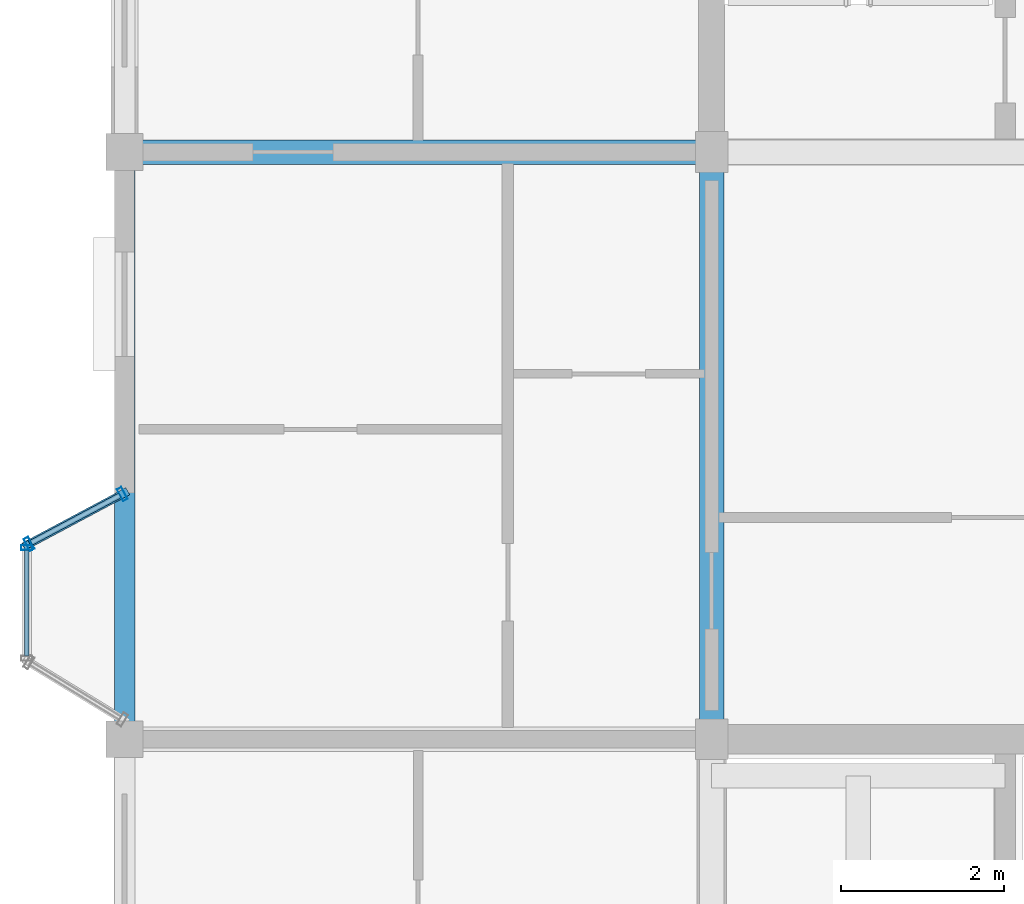
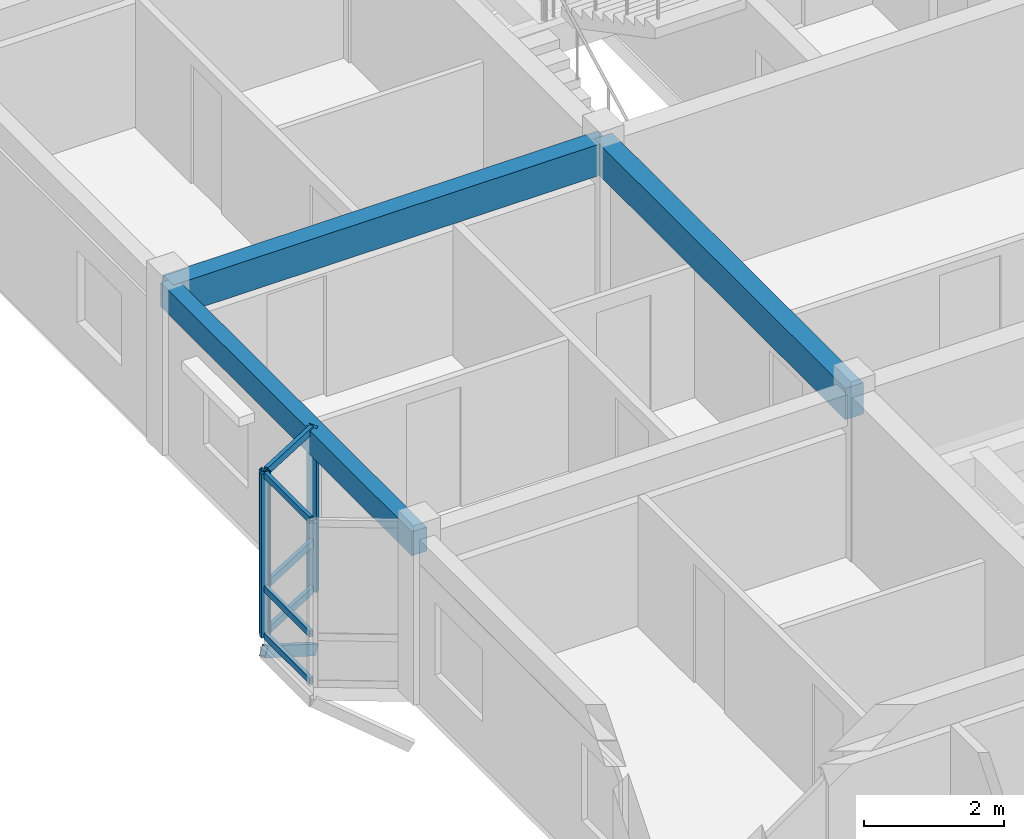
# One storey, part 7 of 40: 10 members, 3 beams, 2 elements without a shape of their own.
"""IFC4 building model written with IfcOpenShell, lengths in metres."""

import ifcopenshell
import ifcopenshell.guid

model = None  # the IFC model being written
_history = None  # IfcOwnerHistory: only IFC2X3 demands one
_inside = {}  # id of a spatial element -> (the spatial element, [elements in it])
_under = {}  # id of a project, library or spatial element -> (it, [spatial elements below it])
_declared = {}  # id of a project -> (the project, [libraries it declares])
_typed = {}  # id of a type object -> (the type object, [elements of that type])
_made_of = {}  # id of a material, layer set ... -> (it, [elements and type objects made of it])


def new_model(schema):
    """Start an empty IFC model of exactly this schema.

    Asked for "IFC4X3", IfcOpenShell would pick the latest addendum, in which some entities
    have other attributes; the version numbers below select the first issue.
    IFC2X3 requires an IfcOwnerHistory on every rooted entity: one is made here for all.
    """
    global model, _history
    if schema == "IFC4X3":
        model = ifcopenshell.file(schema_version=(4, 3, 0, 0))
    else:
        model = ifcopenshell.file(schema=schema)
    _inside.clear()
    _under.clear()
    _declared.clear()
    _typed.clear()
    _made_of.clear()
    _history = None
    if model.schema == "IFC2X3":
        org = make("IfcOrganization", Name="unknown")
        user = make(
            "IfcPersonAndOrganization",
            ThePerson=make("IfcPerson", FamilyName="unknown"),
            TheOrganization=org,
        )
        app = make(
            "IfcApplication",
            ApplicationDeveloper=org,
            Version="unknown",
            ApplicationFullName="unknown",
            ApplicationIdentifier="unknown",
        )
        _history = make(
            "IfcOwnerHistory",
            OwningUser=user,
            OwningApplication=app,
            ChangeAction="ADDED",
            CreationDate=0,
        )
    return model


def make(cls, **values):
    """One entity of the class cls with the attributes given. An attribute that is None is left unset."""
    return model.create_entity(
        cls, **{name: value for name, value in values.items() if value is not None}
    )


def rooted(cls, **values):
    """An entity with a GlobalId (a new one), such as an element, a storey or a relation."""
    return make(cls, GlobalId=ifcopenshell.guid.new(), OwnerHistory=_history, **values)


def si_unit(unit_type, name, prefix=None):
    """IfcSIUnit, for example si_unit("LENGTHUNIT", "METRE", prefix="MILLI")."""
    return make("IfcSIUnit", UnitType=unit_type, Prefix=prefix, Name=name)


def assignment(units):
    """IfcUnitAssignment: the units of a project."""
    return None if units is None else make("IfcUnitAssignment", Units=units)


def point(xyz):
    """IfcCartesianPoint."""
    return None if xyz is None else make("IfcCartesianPoint", Coordinates=xyz)


def direction(xyz):
    """IfcDirection."""
    return None if xyz is None else make("IfcDirection", DirectionRatios=xyz)


def frame(location, z_axis=None, x_axis=None):
    """IfcAxis2Placement3D, a coordinate frame: its origin and axes. An axis left out is left unset."""
    return make(
        "IfcAxis2Placement3D",
        Location=point(location),
        Axis=direction(z_axis),
        RefDirection=direction(x_axis),
    )


def frame_2d(location, x_axis=None):
    """IfcAxis2Placement2D, a coordinate frame in the plane: its origin and x axis."""
    return make(
        "IfcAxis2Placement2D", Location=point(location), RefDirection=direction(x_axis)
    )


def origin():
    """The frame at (0, 0, 0) with its axes left unset."""
    return frame((0.0, 0.0, 0.0))


def origin_2d():
    """The frame at (0, 0) in the plane with its x axis left unset."""
    return frame_2d((0.0, 0.0))


def place(relative_to, where):
    """IfcLocalPlacement: puts the frame where relative to a parent placement (None: the world)."""
    return make(
        "IfcLocalPlacement", PlacementRelTo=relative_to, RelativePlacement=where
    )


def context(
    kind, dimensions, precision=None, world=None, true_north=None, identifier=None
):
    """IfcGeometricRepresentationContext, for example the 3D "Model" context."""
    return make(
        "IfcGeometricRepresentationContext",
        ContextIdentifier=identifier,
        ContextType=kind,
        CoordinateSpaceDimension=dimensions,
        Precision=precision,
        WorldCoordinateSystem=world,
        TrueNorth=true_north,
    )


def subcontext(parent, identifier, kind, view, scale=None):
    """IfcGeometricRepresentationSubContext, for example "Body" below "Model"."""
    return make(
        "IfcGeometricRepresentationSubContext",
        ContextIdentifier=identifier,
        ContextType=kind,
        ParentContext=parent,
        TargetScale=scale,
        TargetView=view,
    )


def project(units=None, contexts=None):
    """IfcProject with its units and contexts."""
    return rooted(
        "IfcProject",
        Name="project",
        RepresentationContexts=contexts,
        UnitsInContext=assignment(units),
    )


def spatial(cls, under=None, at=None, **own):
    """A site, building, storey or space (cls), placed at a placement, below another one or the project."""
    s = rooted(cls, ObjectPlacement=at, **own)
    if under is not None:
        _under.setdefault(under.id(), (under, []))[1].append(s)
    return s


def profile(cls, at=None, kind="AREA", **sizes):
    """A parametric profile (cls). Its sizes go by their IFC names, for example OverallWidth=200.0."""
    return make(cls, ProfileType=kind, Position=at, **sizes)


def rectangle(**sizes):
    """IfcRectangleProfileDef."""
    return profile("IfcRectangleProfileDef", **sizes)


def hollow_rectangle(**sizes):
    """IfcRectangleHollowProfileDef."""
    return profile("IfcRectangleHollowProfileDef", **sizes)


def extrude(swept, where, along, depth):
    """IfcExtrudedAreaSolid: the profile swept, set in the frame where, extruded along a direction by depth."""
    return make(
        "IfcExtrudedAreaSolid",
        SweptArea=swept,
        Position=where,
        ExtrudedDirection=direction(along),
        Depth=depth,
    )


def shape(context_of_items, identifier, shape_type, items):
    """IfcShapeRepresentation: the items that make up one representation, for example the "Body"."""
    return make(
        "IfcShapeRepresentation",
        ContextOfItems=context_of_items,
        RepresentationIdentifier=identifier,
        RepresentationType=shape_type,
        Items=items,
    )


def material(Name=None, Category=None):
    """IfcMaterial."""
    return make("IfcMaterial", Name=Name, Category=Category)


def layer(
    of_material, thickness, ventilated=None, Name=None, Category=None, Priority=None
):
    """IfcMaterialLayer: one layer of a wall or slab, of a material (None: an air gap)."""
    return make(
        "IfcMaterialLayer",
        Material=of_material,
        LayerThickness=thickness,
        IsVentilated=ventilated,
        Name=Name,
        Category=Category,
        Priority=Priority,
    )


def layer_set(layers, Name=None):
    """IfcMaterialLayerSet."""
    return make("IfcMaterialLayerSet", MaterialLayers=layers, LayerSetName=Name)


def material_profile(
    of_material, cross_section, Name=None, Category=None, Priority=None
):
    """IfcMaterialProfile: a cross section and its material."""
    return make(
        "IfcMaterialProfile",
        Name=Name,
        Material=of_material,
        Profile=cross_section,
        Priority=Priority,
        Category=Category,
    )


def profile_set(profiles, Name=None, composite=None):
    """IfcMaterialProfileSet."""
    return make(
        "IfcMaterialProfileSet",
        Name=Name,
        MaterialProfiles=profiles,
        CompositeProfile=composite,
    )


def made_of(thing, what):
    """Note that an element or type object is made of a material, layer set ...; save() writes the relation."""
    if what is not None:
        _made_of.setdefault(what.id(), (what, []))[1].append(thing)
    return thing


def type_object(cls, material=None, **own):
    """A type object (cls), such as IfcWallType, which elements share."""
    return made_of(rooted(cls, **own), material)


def element(
    cls,
    number,
    at=None,
    inside=None,
    cuts=None,
    type_object=None,
    material=None,
    context=None,
    identifier="Body",
    shape_type=None,
    held_by="IfcProductDefinitionShape",
    body=None,
    shapes=None,
    **own,
):
    """One element of the class cls, such as IfcWall. Its Tag is "e" and its number.

    at: its placement. inside: the storey or other place that contains it. cuts: it is an
    opening in that element (IfcRelVoidsElement). A single representation is given by context,
    identifier, shape_type and body (its items); several are given by shapes. held_by: the class
    of the entity that holds the representations. save() writes the other relations.
    """
    e = rooted(cls, Tag="e%d" % number, ObjectPlacement=at, **own)
    if body is not None:
        shapes = [shape(context, identifier, shape_type, body)]
    if shapes is not None:
        e.Representation = make(held_by, Representations=shapes)
    if inside is not None:
        _inside.setdefault(inside.id(), (inside, []))[1].append(e)
    if cuts is not None:
        rooted(
            "IfcRelVoidsElement", RelatingBuildingElement=cuts, RelatedOpeningElement=e
        )
    if type_object is not None:
        _typed.setdefault(type_object.id(), (type_object, []))[1].append(e)
    return made_of(e, material)


def aggregate(whole, parts):
    """IfcRelAggregates: a whole, such as a stair, and the parts it consists of."""
    return rooted("IfcRelAggregates", RelatingObject=whole, RelatedObjects=parts)


def save(model, path):
    """Write the relations noted so far, then the file.

    IfcRelAggregates (storeys below a building ...), IfcRelContainedInSpatialStructure (elements
    in a storey), IfcRelDefinesByType, IfcRelAssociatesMaterial and IfcRelDeclares: one each for
    every whole, place, type object, material and project.
    """
    for whole, parts in _under.values():
        aggregate(whole, parts)
    for where, things in _inside.values():
        rooted(
            "IfcRelContainedInSpatialStructure",
            RelatedElements=things,
            RelatingStructure=where,
        )
    for kind, things in _typed.values():
        rooted("IfcRelDefinesByType", RelatedObjects=things, RelatingType=kind)
    for what, things in _made_of.values():
        rooted("IfcRelAssociatesMaterial", RelatedObjects=things, RelatingMaterial=what)
    for by, libraries in _declared.values():
        rooted("IfcRelDeclares", RelatingContext=by, RelatedDefinitions=libraries)
    model.write(path)


model = new_model("IFC4")

# Units and contexts
model_context = context("Model", 3, precision=1e-05, world=origin(), true_north=direction((0.0, 1.0)))
body_context = subcontext(model_context, "Body", "Model", "MODEL_VIEW")
ifc_project = project(units=[si_unit("LENGTHUNIT", "METRE"), si_unit("AREAUNIT", "SQUARE_METRE"), si_unit("VOLUMEUNIT", "CUBIC_METRE"), si_unit("PLANEANGLEUNIT", "RADIAN"), si_unit("MASSUNIT", "GRAM", prefix="KILO"), si_unit("THERMODYNAMICTEMPERATUREUNIT", "KELVIN"), si_unit("POWERUNIT", "WATT")], contexts=[model_context])

# Site, building, storey
site_placement = place(None, origin())
site = spatial("IfcSite", under=ifc_project, at=site_placement, CompositionType="ELEMENT")
building_placement = place(site_placement, origin())
building = spatial("IfcBuilding", under=site, at=building_placement, Name="Tavuni Mirador Residences", CompositionType="ELEMENT")
storey_placement = place(building_placement, frame((0.0, 0.0, 36.0)))
storey = spatial("IfcBuildingStorey", under=building, at=storey_placement, Name="L11", CompositionType="ELEMENT", Elevation=36.0)

# Beams
ifc_material_1 = material(Name="Precast concrete C40/50", Category="concrete")
ifc_material_profile_1 = material_profile(ifc_material_1, rectangle(XDim=0.300048828125, YDim=0.550048828125, at=origin_2d()), Name="PC 300x550", Category="concrete")
ifc_profile_set_1 = profile_set([ifc_material_profile_1], Name="Precast concrete C40/50")
beam_type_1 = type_object("IfcBeamType", Name="BT-B550", PredefinedType="BEAM", material=ifc_profile_set_1)
for number, where, z_axis, x_axis, name in (
    (1, (3.60009765625, 28.800048828125, 2.594970703125), (1.0, 0.0, 0.0), (0.0, 1.0, 0.0), "BMX-BLK-A-L11-00-03"),
    (2, (10.800048828125, 21.60009765625, 2.594970703125), (0.0, 1.0, 0.0), (-1.0, 0.0, 0.0), "BMY-BLK-A-L11-01-02"),
):
    element("IfcBeam", number, at=place(storey_placement, frame(where, z_axis=z_axis, x_axis=x_axis)), inside=storey, type_object=beam_type_1, Name=name, PredefinedType="BEAM", context=body_context, shape_type="SweptSolid", body=[
        extrude(rectangle(XDim=0.300048828125, YDim=0.550048828125, at=origin_2d()), origin(), (0.0, 0.0, 1.0), 7.199951171875),
    ])
ifc_material_profile_2 = material_profile(ifc_material_1, rectangle(XDim=0.25, YDim=0.419921875, at=origin_2d()), Name="PC 250x420", Category="concrete")
ifc_profile_set_2 = profile_set([ifc_material_profile_2], Name="Precast concrete C40/50")
beam_type_2 = type_object("IfcBeamType", Name="BT-SP420", PredefinedType="SPANDREL", material=ifc_profile_set_2)
beam_placement = place(storey_placement, frame((3.60009765625, 21.60009765625, 2.659912109375), z_axis=(0.0, 1.0, 0.0), x_axis=(-1.0, 0.0, 0.0)))
element("IfcBeam", 3, at=beam_placement, inside=storey, type_object=beam_type_2, Name="BMY-BLK-A-L11-00-02", PredefinedType="SPANDREL", context=body_context, shape_type="SweptSolid", body=[
    extrude(rectangle(XDim=0.25, YDim=0.419921875, at=origin_2d()), origin(), (0.0, 0.0, 1.0), 7.199951171875),
])

# Curtain wall, member
ifc_material_2 = material(Name="Anodised aluminium", Category="aluminium")
ifc_layer_1 = layer(ifc_material_2, 0.1650390625, Name="Anodised aluminium", Category="aluminium")
ifc_layer_set_1 = layer_set([ifc_layer_1], Name="Anodised aluminium")
curtain_wall_type_1 = type_object("IfcCurtainWallType", Name="CWT-MIR-A", PredefinedType="NOTDEFINED", material=ifc_layer_set_1)
curtain_wall_1_placement = place(storey_placement, origin())
curtain_wall_1 = element("IfcCurtainWall", 4, at=curtain_wall_1_placement, inside=storey, type_object=curtain_wall_type_1, Name="CW-MIR-A-W2-L11-MF", PredefinedType="NOTDEFINED")
ifc_material_profile_3 = material_profile(ifc_material_2, hollow_rectangle(XDim=0.06005859375, YDim=0.139892578125, WallThickness=0.00390625, at=origin_2d()), Name="ALU 60x140x4.0", Category="aluminium")
ifc_profile_set_3 = profile_set([ifc_material_profile_3], Name="Anodised aluminium")
member_type_1 = type_object("IfcMemberType", Name="CWM-140", PredefinedType="MULLION", material=ifc_profile_set_3)
member_1_placement = place(storey_placement, frame((2.39990234375, 23.949951171875, 0.0), z_axis=(0.0, 0.0, 1.0), x_axis=(0.0, -1.0, 0.0)))
member_1 = element("IfcMember", 5, at=member_1_placement, type_object=member_type_1, Name="CW-01 mullion 1", PredefinedType="MULLION", context=body_context, shape_type="SweptSolid", body=[
    extrude(hollow_rectangle(XDim=0.06005859375, YDim=0.139892578125, WallThickness=0.00390625, at=origin_2d()), origin(), (0.0, 0.0, 1.0), 2.8701171875),
])

# Curtain wall, members
ifc_layer_2 = layer(ifc_material_2, 0.159912109375, Name="Anodised aluminium", Category="aluminium")
ifc_layer_set_2 = layer_set([ifc_layer_2], Name="Anodised aluminium")
curtain_wall_type_2 = type_object("IfcCurtainWallType", Name="CWT-MIR-D", PredefinedType="NOTDEFINED", material=ifc_layer_set_2)
curtain_wall_2_placement = place(storey_placement, origin())
curtain_wall_2 = element("IfcCurtainWall", 6, at=curtain_wall_2_placement, inside=storey, type_object=curtain_wall_type_2, Name="CW-MIR-A-W2-L11-M1", PredefinedType="NOTDEFINED")
ifc_material_profile_4 = material_profile(ifc_material_2, hollow_rectangle(XDim=0.06494140625, YDim=0.1650390625, WallThickness=0.00439453125, at=origin_2d()), Name="ALU 65x165x4.5", Category="aluminium")
ifc_profile_set_4 = profile_set([ifc_material_profile_4], Name="Anodised aluminium")
member_type_2 = type_object("IfcMemberType", Name="CWM-165", PredefinedType="MULLION", material=ifc_profile_set_4)
member_2_placement = place(storey_placement, frame((3.5712890625, 24.604736328125, 0.0), z_axis=(0.0, 0.0, 1.0), x_axis=(-0.882352941175, -0.470588235296, 0.0)))
member_2 = element("IfcMember", 7, at=member_2_placement, type_object=member_type_2, Name="CW-04 mullion 1", PredefinedType="MULLION", context=body_context, shape_type="SweptSolid", body=[
    extrude(hollow_rectangle(XDim=0.06494140625, YDim=0.1650390625, WallThickness=0.00439453125, at=origin_2d()), origin(), (0.0, 0.0, 1.0), 2.8701171875),
])
member_3_placement = place(storey_placement, frame((2.4287109375, 23.995361328125, 0.0), z_axis=(0.0, 0.0, 1.0), x_axis=(-0.882352941175, -0.470588235296, 0.0)))
member_3 = element("IfcMember", 8, at=member_3_placement, type_object=member_type_2, Name="CW-04 mullion 2", PredefinedType="MULLION", context=body_context, shape_type="SweptSolid", body=[
    extrude(hollow_rectangle(XDim=0.06494140625, YDim=0.1650390625, WallThickness=0.00439453125, at=origin_2d()), origin(), (0.0, 0.0, 1.0), 2.8701171875),
])

# Member
ifc_material_profile_5 = material_profile(ifc_material_2, hollow_rectangle(XDim=0.06005859375, YDim=0.110107421875, WallThickness=0.00390625, at=origin_2d()), Name="ALU 60x110x4.0", Category="aluminium")
ifc_profile_set_5 = profile_set([ifc_material_profile_5], Name="Anodised aluminium")
member_type_3 = type_object("IfcMemberType", Name="CWT-110", PredefinedType="USERDEFINED", material=ifc_profile_set_5)
member_4_placement = place(storey_placement, frame((2.39990234375, 23.919921875, 0.030029296875), z_axis=(0.0, -1.0, 0.0), x_axis=(1.0, 0.0, 0.0)))
member_4 = element("IfcMember", 9, at=member_4_placement, type_object=member_type_3, Name="CW-01 transom 1.1", ObjectType="TRANSOM", PredefinedType="USERDEFINED", context=body_context, shape_type="SweptSolid", body=[
    extrude(hollow_rectangle(XDim=0.06005859375, YDim=0.110107421875, WallThickness=0.00390625, at=origin_2d()), origin(), (0.0, 0.0, 1.0), 1.2998046875),
])

member_5_placement = place(storey_placement, frame((2.39990234375, 23.919921875, 0.85009765625), z_axis=(0.0, -1.0, 0.0), x_axis=(1.0, 0.0, 0.0)))
member_5 = element("IfcMember", 10, at=member_5_placement, type_object=member_type_3, Name="CW-01 transom 1.2", ObjectType="TRANSOM", PredefinedType="USERDEFINED", context=body_context, shape_type="SweptSolid", body=[
    extrude(hollow_rectangle(XDim=0.06005859375, YDim=0.110107421875, WallThickness=0.00390625, at=origin_2d()), origin(), (0.0, 0.0, 1.0), 1.2998046875),
])

member_6_placement = place(storey_placement, frame((2.39990234375, 23.919921875, 2.840087890625), z_axis=(0.0, -1.0, 0.0), x_axis=(1.0, 0.0, 0.0)))
member_6 = element("IfcMember", 11, at=member_6_placement, type_object=member_type_3, Name="CW-01 transom 1.3", ObjectType="TRANSOM", PredefinedType="USERDEFINED", context=body_context, shape_type="SweptSolid", body=[
    extrude(hollow_rectangle(XDim=0.06005859375, YDim=0.110107421875, WallThickness=0.00390625, at=origin_2d()), origin(), (0.0, 0.0, 1.0), 1.2998046875),
])

aggregate(curtain_wall_1, [member_1, member_4, member_5, member_6])

ifc_material_profile_6 = material_profile(ifc_material_2, hollow_rectangle(XDim=0.06494140625, YDim=0.125, WallThickness=0.00439453125, at=origin_2d()), Name="ALU 65x125x4.5", Category="aluminium")
ifc_profile_set_6 = profile_set([ifc_material_profile_6], Name="Anodised aluminium")
member_type_4 = type_object("IfcMemberType", Name="CWT-125", PredefinedType="USERDEFINED", material=ifc_profile_set_6)
member_7_placement = place(storey_placement, frame((3.542724609375, 24.58935546875, 0.032470703125), z_axis=(-0.882369422046, -0.47055733236, 0.0), x_axis=(0.47055733236, -0.882369422046, 0.0)))
member_7 = element("IfcMember", 12, at=member_7_placement, type_object=member_type_4, Name="CW-04 transom 1.1", ObjectType="TRANSOM", PredefinedType="USERDEFINED", context=body_context, shape_type="SweptSolid", body=[
    extrude(hollow_rectangle(XDim=0.06494140625, YDim=0.125, WallThickness=0.00439453125, at=origin_2d()), origin(), (0.0, 0.0, 1.0), 1.230224609375),
])

member_8_placement = place(storey_placement, frame((3.542724609375, 24.58935546875, 0.85009765625), z_axis=(-0.882369422046, -0.47055733236, 0.0), x_axis=(0.47055733236, -0.882369422046, 0.0)))
member_8 = element("IfcMember", 13, at=member_8_placement, type_object=member_type_4, Name="CW-04 transom 1.2", ObjectType="TRANSOM", PredefinedType="USERDEFINED", context=body_context, shape_type="SweptSolid", body=[
    extrude(hollow_rectangle(XDim=0.06494140625, YDim=0.125, WallThickness=0.00439453125, at=origin_2d()), origin(), (0.0, 0.0, 1.0), 1.230224609375),
])

member_9_placement = place(storey_placement, frame((3.542724609375, 24.58935546875, 2.83740234375), z_axis=(-0.882369422046, -0.47055733236, 0.0), x_axis=(0.47055733236, -0.882369422046, 0.0)))
member_9 = element("IfcMember", 14, at=member_9_placement, type_object=member_type_4, Name="CW-04 transom 1.3", ObjectType="TRANSOM", PredefinedType="USERDEFINED", context=body_context, shape_type="SweptSolid", body=[
    extrude(hollow_rectangle(XDim=0.06494140625, YDim=0.125, WallThickness=0.00439453125, at=origin_2d()), origin(), (0.0, 0.0, 1.0), 1.230224609375),
])

aggregate(curtain_wall_2, [member_2, member_3, member_7, member_8, member_9])

ifc_material_3 = material(Name="Structural steel S355", Category="steel")
ifc_material_profile_7 = material_profile(ifc_material_3, hollow_rectangle(XDim=0.10009765625, YDim=0.179931640625, WallThickness=0.008056640625, at=origin_2d()), Name="RHS 180x100x8.0", Category="steel")
ifc_profile_set_7 = profile_set([ifc_material_profile_7], Name="Structural steel S355")
member_type_5 = type_object("IfcMemberType", Name="MT-BR-RHS180", PredefinedType="BRACE", material=ifc_profile_set_7)
member_10_placement = place(storey_placement, frame((3.60009765625, 24.6201171875, -1.050048828125), z_axis=(-0.767847080655, -0.409539268811, 0.492634192918), x_axis=(0.470606866739, -0.882343004153, 0.0)))
element("IfcMember", 15, at=member_10_placement, inside=storey, type_object=member_type_5, Name="MBRK-MIR-A-W2-L11-2", PredefinedType="BRACE", context=body_context, shape_type="SweptSolid", body=[
    extrude(hollow_rectangle(XDim=0.10009765625, YDim=0.179931640625, WallThickness=0.008056640625, at=origin_2d()), origin(), (0.0, 0.0, 1.0), 1.56298828125),
])

save(model, "model.ifc")
